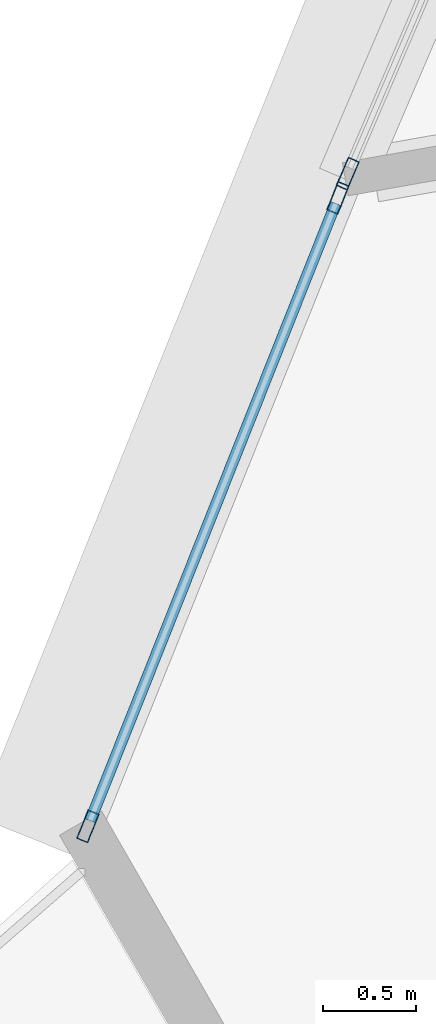
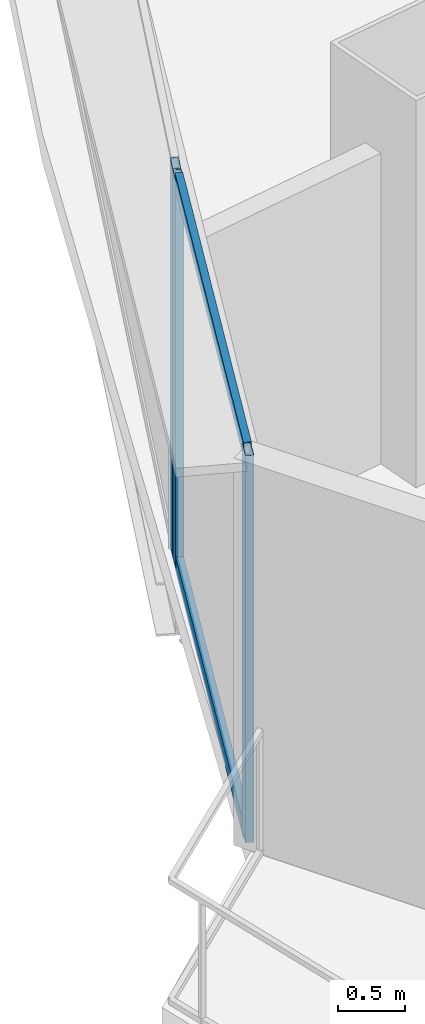
# One storey, part 4 of 37: 5 members, 2 elements without a shape of their own.
"""IFC4 building model written with IfcOpenShell, lengths in metres."""

import ifcopenshell
import ifcopenshell.guid

model = None  # the IFC model being written
_history = None  # IfcOwnerHistory: only IFC2X3 demands one
_inside = {}  # id of a spatial element -> (the spatial element, [elements in it])
_under = {}  # id of a project, library or spatial element -> (it, [spatial elements below it])
_declared = {}  # id of a project -> (the project, [libraries it declares])
_typed = {}  # id of a type object -> (the type object, [elements of that type])
_made_of = {}  # id of a material, layer set ... -> (it, [elements and type objects made of it])


def new_model(schema):
    """Start an empty IFC model of exactly this schema.

    Asked for "IFC4X3", IfcOpenShell would pick the latest addendum, in which some entities
    have other attributes; the version numbers below select the first issue.
    IFC2X3 requires an IfcOwnerHistory on every rooted entity: one is made here for all.
    """
    global model, _history
    if schema == "IFC4X3":
        model = ifcopenshell.file(schema_version=(4, 3, 0, 0))
    else:
        model = ifcopenshell.file(schema=schema)
    _inside.clear()
    _under.clear()
    _declared.clear()
    _typed.clear()
    _made_of.clear()
    _history = None
    if model.schema == "IFC2X3":
        org = make("IfcOrganization", Name="unknown")
        user = make(
            "IfcPersonAndOrganization",
            ThePerson=make("IfcPerson", FamilyName="unknown"),
            TheOrganization=org,
        )
        app = make(
            "IfcApplication",
            ApplicationDeveloper=org,
            Version="unknown",
            ApplicationFullName="unknown",
            ApplicationIdentifier="unknown",
        )
        _history = make(
            "IfcOwnerHistory",
            OwningUser=user,
            OwningApplication=app,
            ChangeAction="ADDED",
            CreationDate=0,
        )
    return model


def make(cls, **values):
    """One entity of the class cls with the attributes given. An attribute that is None is left unset."""
    return model.create_entity(
        cls, **{name: value for name, value in values.items() if value is not None}
    )


def rooted(cls, **values):
    """An entity with a GlobalId (a new one), such as an element, a storey or a relation."""
    return make(cls, GlobalId=ifcopenshell.guid.new(), OwnerHistory=_history, **values)


def si_unit(unit_type, name, prefix=None):
    """IfcSIUnit, for example si_unit("LENGTHUNIT", "METRE", prefix="MILLI")."""
    return make("IfcSIUnit", UnitType=unit_type, Prefix=prefix, Name=name)


def assignment(units):
    """IfcUnitAssignment: the units of a project."""
    return None if units is None else make("IfcUnitAssignment", Units=units)


def point(xyz):
    """IfcCartesianPoint."""
    return None if xyz is None else make("IfcCartesianPoint", Coordinates=xyz)


def direction(xyz):
    """IfcDirection."""
    return None if xyz is None else make("IfcDirection", DirectionRatios=xyz)


def frame(location, z_axis=None, x_axis=None):
    """IfcAxis2Placement3D, a coordinate frame: its origin and axes. An axis left out is left unset."""
    return make(
        "IfcAxis2Placement3D",
        Location=point(location),
        Axis=direction(z_axis),
        RefDirection=direction(x_axis),
    )


def frame_2d(location, x_axis=None):
    """IfcAxis2Placement2D, a coordinate frame in the plane: its origin and x axis."""
    return make(
        "IfcAxis2Placement2D", Location=point(location), RefDirection=direction(x_axis)
    )


def origin():
    """The frame at (0, 0, 0) with its axes left unset."""
    return frame((0.0, 0.0, 0.0))


def origin_2d():
    """The frame at (0, 0) in the plane with its x axis left unset."""
    return frame_2d((0.0, 0.0))


def place(relative_to, where):
    """IfcLocalPlacement: puts the frame where relative to a parent placement (None: the world)."""
    return make(
        "IfcLocalPlacement", PlacementRelTo=relative_to, RelativePlacement=where
    )


def context(
    kind, dimensions, precision=None, world=None, true_north=None, identifier=None
):
    """IfcGeometricRepresentationContext, for example the 3D "Model" context."""
    return make(
        "IfcGeometricRepresentationContext",
        ContextIdentifier=identifier,
        ContextType=kind,
        CoordinateSpaceDimension=dimensions,
        Precision=precision,
        WorldCoordinateSystem=world,
        TrueNorth=true_north,
    )


def subcontext(parent, identifier, kind, view, scale=None):
    """IfcGeometricRepresentationSubContext, for example "Body" below "Model"."""
    return make(
        "IfcGeometricRepresentationSubContext",
        ContextIdentifier=identifier,
        ContextType=kind,
        ParentContext=parent,
        TargetScale=scale,
        TargetView=view,
    )


def project(units=None, contexts=None):
    """IfcProject with its units and contexts."""
    return rooted(
        "IfcProject",
        Name="project",
        RepresentationContexts=contexts,
        UnitsInContext=assignment(units),
    )


def spatial(cls, under=None, at=None, **own):
    """A site, building, storey or space (cls), placed at a placement, below another one or the project."""
    s = rooted(cls, ObjectPlacement=at, **own)
    if under is not None:
        _under.setdefault(under.id(), (under, []))[1].append(s)
    return s


def profile(cls, at=None, kind="AREA", **sizes):
    """A parametric profile (cls). Its sizes go by their IFC names, for example OverallWidth=200.0."""
    return make(cls, ProfileType=kind, Position=at, **sizes)


def hollow_rectangle(**sizes):
    """IfcRectangleHollowProfileDef."""
    return profile("IfcRectangleHollowProfileDef", **sizes)


def extrude(swept, where, along, depth):
    """IfcExtrudedAreaSolid: the profile swept, set in the frame where, extruded along a direction by depth."""
    return make(
        "IfcExtrudedAreaSolid",
        SweptArea=swept,
        Position=where,
        ExtrudedDirection=direction(along),
        Depth=depth,
    )


def shape(context_of_items, identifier, shape_type, items):
    """IfcShapeRepresentation: the items that make up one representation, for example the "Body"."""
    return make(
        "IfcShapeRepresentation",
        ContextOfItems=context_of_items,
        RepresentationIdentifier=identifier,
        RepresentationType=shape_type,
        Items=items,
    )


def source(mapping_origin, context_of_items, identifier, shape_type, items):
    """IfcRepresentationMap: a shape defined once, which mapped items show again and again."""
    return make(
        "IfcRepresentationMap",
        MappingOrigin=mapping_origin,
        MappedRepresentation=shape(context_of_items, identifier, shape_type, items),
    )


def transform(
    local_origin,
    x_axis=None,
    y_axis=None,
    z_axis=None,
    scale=None,
    scale2=None,
    scale3=None,
    uniform=True,
):
    """IfcCartesianTransformationOperator3D, or its non-uniform kind. x_axis, y_axis, z_axis: its Axis1, 2, 3."""
    if uniform:
        return make(
            "IfcCartesianTransformationOperator3D",
            Axis1=direction(x_axis),
            Axis2=direction(y_axis),
            LocalOrigin=point(local_origin),
            Scale=scale,
            Axis3=direction(z_axis),
        )
    return make(
        "IfcCartesianTransformationOperator3DnonUniform",
        Axis1=direction(x_axis),
        Axis2=direction(y_axis),
        LocalOrigin=point(local_origin),
        Scale=scale,
        Axis3=direction(z_axis),
        Scale2=scale2,
        Scale3=scale3,
    )


def mapped(mapping_source, mapping_target):
    """IfcMappedItem: shows the shape of a source again, moved by a transform."""
    return make(
        "IfcMappedItem", MappingSource=mapping_source, MappingTarget=mapping_target
    )


def material(Name=None, Category=None):
    """IfcMaterial."""
    return make("IfcMaterial", Name=Name, Category=Category)


def layer(
    of_material, thickness, ventilated=None, Name=None, Category=None, Priority=None
):
    """IfcMaterialLayer: one layer of a wall or slab, of a material (None: an air gap)."""
    return make(
        "IfcMaterialLayer",
        Material=of_material,
        LayerThickness=thickness,
        IsVentilated=ventilated,
        Name=Name,
        Category=Category,
        Priority=Priority,
    )


def layer_set(layers, Name=None):
    """IfcMaterialLayerSet."""
    return make("IfcMaterialLayerSet", MaterialLayers=layers, LayerSetName=Name)


def material_profile(
    of_material, cross_section, Name=None, Category=None, Priority=None
):
    """IfcMaterialProfile: a cross section and its material."""
    return make(
        "IfcMaterialProfile",
        Name=Name,
        Material=of_material,
        Profile=cross_section,
        Priority=Priority,
        Category=Category,
    )


def profile_set(profiles, Name=None, composite=None):
    """IfcMaterialProfileSet."""
    return make(
        "IfcMaterialProfileSet",
        Name=Name,
        MaterialProfiles=profiles,
        CompositeProfile=composite,
    )


def made_of(thing, what):
    """Note that an element or type object is made of a material, layer set ...; save() writes the relation."""
    if what is not None:
        _made_of.setdefault(what.id(), (what, []))[1].append(thing)
    return thing


def type_object(cls, material=None, **own):
    """A type object (cls), such as IfcWallType, which elements share."""
    return made_of(rooted(cls, **own), material)


def element(
    cls,
    number,
    at=None,
    inside=None,
    cuts=None,
    type_object=None,
    material=None,
    context=None,
    identifier="Body",
    shape_type=None,
    held_by="IfcProductDefinitionShape",
    body=None,
    shapes=None,
    **own,
):
    """One element of the class cls, such as IfcWall. Its Tag is "e" and its number.

    at: its placement. inside: the storey or other place that contains it. cuts: it is an
    opening in that element (IfcRelVoidsElement). A single representation is given by context,
    identifier, shape_type and body (its items); several are given by shapes. held_by: the class
    of the entity that holds the representations. save() writes the other relations.
    """
    e = rooted(cls, Tag="e%d" % number, ObjectPlacement=at, **own)
    if body is not None:
        shapes = [shape(context, identifier, shape_type, body)]
    if shapes is not None:
        e.Representation = make(held_by, Representations=shapes)
    if inside is not None:
        _inside.setdefault(inside.id(), (inside, []))[1].append(e)
    if cuts is not None:
        rooted(
            "IfcRelVoidsElement", RelatingBuildingElement=cuts, RelatedOpeningElement=e
        )
    if type_object is not None:
        _typed.setdefault(type_object.id(), (type_object, []))[1].append(e)
    return made_of(e, material)


def aggregate(whole, parts):
    """IfcRelAggregates: a whole, such as a stair, and the parts it consists of."""
    return rooted("IfcRelAggregates", RelatingObject=whole, RelatedObjects=parts)


def save(model, path):
    """Write the relations noted so far, then the file.

    IfcRelAggregates (storeys below a building ...), IfcRelContainedInSpatialStructure (elements
    in a storey), IfcRelDefinesByType, IfcRelAssociatesMaterial and IfcRelDeclares: one each for
    every whole, place, type object, material and project.
    """
    for whole, parts in _under.values():
        aggregate(whole, parts)
    for where, things in _inside.values():
        rooted(
            "IfcRelContainedInSpatialStructure",
            RelatedElements=things,
            RelatingStructure=where,
        )
    for kind, things in _typed.values():
        rooted("IfcRelDefinesByType", RelatedObjects=things, RelatingType=kind)
    for what, things in _made_of.values():
        rooted("IfcRelAssociatesMaterial", RelatedObjects=things, RelatingMaterial=what)
    for by, libraries in _declared.values():
        rooted("IfcRelDeclares", RelatingContext=by, RelatedDefinitions=libraries)
    model.write(path)


model = new_model("IFC4")

# Units and contexts
model_context = context("Model", 3, precision=1e-05, world=origin(), true_north=direction((0.0, 1.0)))
body_context = subcontext(model_context, "Body", "Model", "MODEL_VIEW")
ifc_project = project(units=[si_unit("LENGTHUNIT", "METRE"), si_unit("AREAUNIT", "SQUARE_METRE"), si_unit("VOLUMEUNIT", "CUBIC_METRE"), si_unit("PLANEANGLEUNIT", "RADIAN"), si_unit("MASSUNIT", "GRAM", prefix="KILO"), si_unit("THERMODYNAMICTEMPERATUREUNIT", "KELVIN"), si_unit("POWERUNIT", "WATT")], contexts=[model_context])

# Site, building, storey
site_placement = place(None, origin())
site = spatial("IfcSite", under=ifc_project, at=site_placement, CompositionType="ELEMENT")
building_placement = place(site_placement, origin())
building = spatial("IfcBuilding", under=site, at=building_placement, Name="Yunzhuo Pagoda Commons", CompositionType="ELEMENT")
storey_placement = place(building_placement, frame((0.0, 0.0, 88.780029296875)))
storey = spatial("IfcBuildingStorey", under=building, at=storey_placement, Name="L22", CompositionType="ELEMENT", Elevation=88.780029296875)

# Curtain wall, member
ifc_material = material(Name="Anodized aluminium 6063-T6", Category="aluminium")
ifc_layer = layer(ifc_material, 0.1650390625)
ifc_layer_set = layer_set([ifc_layer], Name="Anodized aluminium 6063-T6")
curtain_wall_type = type_object("IfcCurtainWallType", Name="CW-LOW Low-Zone Ribbon Curtain Wall", PredefinedType="NOTDEFINED", material=ifc_layer_set)
curtain_wall_1_placement = place(storey_placement, origin())
curtain_wall_1 = element("IfcCurtainWall", 1, at=curtain_wall_1_placement, inside=storey, type_object=curtain_wall_type, Name="L22 curtain wall CW-L22-F3B4", PredefinedType="NOTDEFINED")
ifc_material_profile_1 = material_profile(ifc_material, hollow_rectangle(XDim=0.06494140625, YDim=0.1650390625, WallThickness=0.00390625, at=origin_2d()), Name="Anodized aluminium 6063-T6")
ifc_profile_set_1 = profile_set([ifc_material_profile_1], Name="Anodized aluminium 6063-T6")
member_type_1 = type_object("IfcMemberType", Name="CW-LOW-M Mullion RHS 165x65x4", PredefinedType="MULLION", material=ifc_profile_set_1)
shared_shape_1 = source(origin(), body_context, "Body", "SweptSolid", [
    extrude(hollow_rectangle(XDim=0.06494140625, YDim=0.1650390625, WallThickness=0.00390625, at=origin_2d()), origin(), (0.0, 0.0, 1.0), 3.5400390625),
])
member_1_placement = place(storey_placement, frame((7.270263671875, 26.545654296875, 0.0), z_axis=(0.0, 0.0, 1.0), x_axis=(0.919250024103, -0.39367422215, 0.0)))
member_1 = element("IfcMember", 2, at=member_1_placement, type_object=member_type_1, Name="CW mullion 2", PredefinedType="MULLION", context=body_context, shape_type="MappedRepresentation", body=[
    mapped(shared_shape_1, transform((0.0, 0.0, 0.0), scale=1.0)),
])
aggregate(curtain_wall_1, [member_1])

# Curtain wall, members
curtain_wall_2_placement = place(storey_placement, origin())
curtain_wall_2 = element("IfcCurtainWall", 3, at=curtain_wall_2_placement, inside=storey, type_object=curtain_wall_type, Name="L22 curtain wall CW-L22-F3B5", PredefinedType="NOTDEFINED")
member_2_placement = place(storey_placement, frame((7.217529296875, 26.416015625, 0.0), z_axis=(0.0, 0.0, 1.0), x_axis=(0.929170333828, -0.369651850711, 0.0)))
member_2 = element("IfcMember", 4, at=member_2_placement, type_object=member_type_1, Name="CW mullion 1", PredefinedType="MULLION", context=body_context, shape_type="MappedRepresentation", body=[
    mapped(shared_shape_1, transform((0.0, 0.0, 0.0), scale=1.0)),
])
member_3_placement = place(storey_placement, frame((5.87744140625, 23.0478515625, 0.0), z_axis=(0.0, 0.0, 1.0), x_axis=(0.929170333828, -0.369651850711, 0.0)))
member_3 = element("IfcMember", 5, at=member_3_placement, type_object=member_type_1, Name="CW mullion 2", PredefinedType="MULLION", context=body_context, shape_type="MappedRepresentation", body=[
    mapped(shared_shape_1, transform((0.0, 0.0, 0.0), scale=1.0)),
])
ifc_material_profile_2 = material_profile(ifc_material, hollow_rectangle(XDim=0.06005859375, YDim=0.139892578125, WallThickness=0.00341796875, at=origin_2d()), Name="Anodized aluminium 6063-T6")
ifc_profile_set_2 = profile_set([ifc_material_profile_2], Name="Anodized aluminium 6063-T6")
member_type_2 = type_object("IfcMemberType", Name="CW-LOW-T Transom RHS 140x60x3.5", PredefinedType="USERDEFINED", material=ifc_profile_set_2)
shared_shape_2 = source(origin(), body_context, "Body", "SweptSolid", [
    extrude(hollow_rectangle(XDim=0.06005859375, YDim=0.139892578125, WallThickness=0.00341796875, at=origin_2d()), origin(), (0.0, 0.0, 1.0), 3.56005859375),
])
member_4_placement = place(storey_placement, frame((7.20556640625, 26.3857421875, 0.030029296875), z_axis=(-0.369640073305, -0.929175019147, 0.0), x_axis=(0.929175019147, -0.369640073305, 0.0)))
member_4 = element("IfcMember", 6, at=member_4_placement, type_object=member_type_2, Name="CW transom 1.1", ObjectType="TRANSOM", PredefinedType="USERDEFINED", context=body_context, shape_type="MappedRepresentation", body=[
    mapped(shared_shape_2, transform((0.0, 0.0, 0.0), scale=1.0)),
])
member_5_placement = place(storey_placement, frame((7.20556640625, 26.3857421875, 3.510009765625), z_axis=(-0.369640073305, -0.929175019147, 0.0), x_axis=(0.929175019147, -0.369640073305, 0.0)))
member_5 = element("IfcMember", 7, at=member_5_placement, type_object=member_type_2, Name="CW transom 1.2", ObjectType="TRANSOM", PredefinedType="USERDEFINED", context=body_context, shape_type="MappedRepresentation", body=[
    mapped(shared_shape_2, transform((0.0, 0.0, 0.0), scale=1.0)),
])
aggregate(curtain_wall_2, [member_2, member_3, member_4, member_5])

save(model, "model.ifc")
